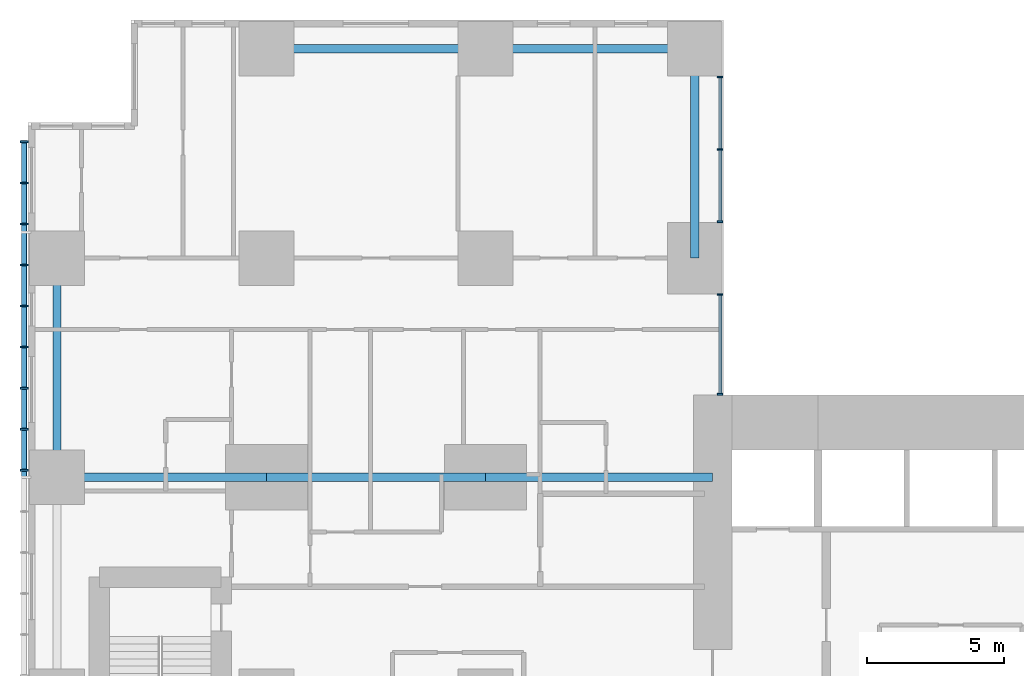
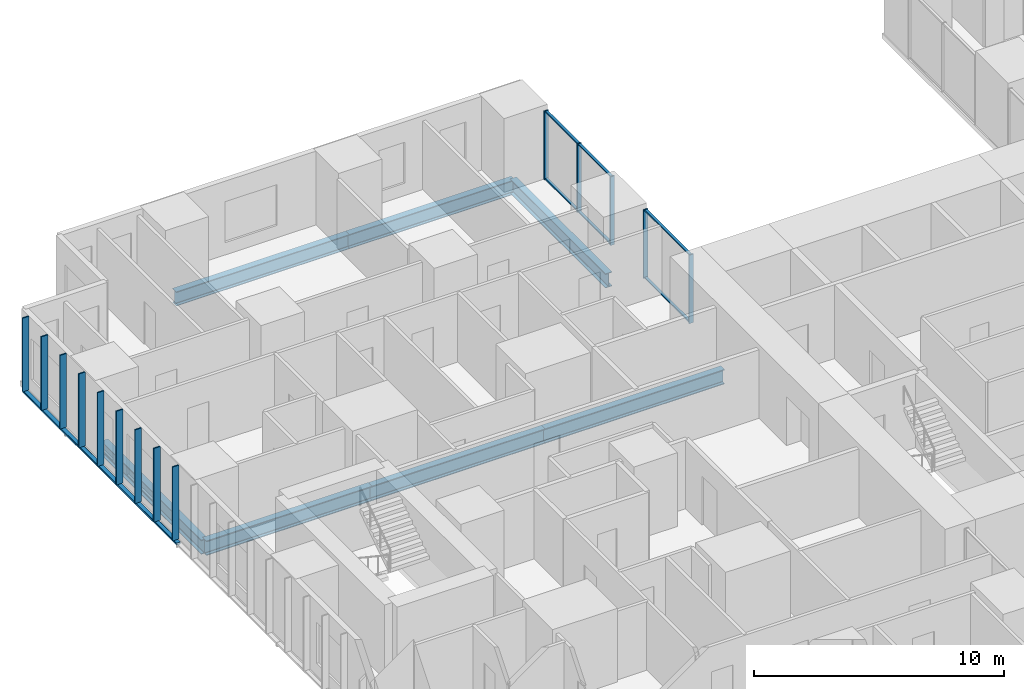
# One storey, part 4 of 20: 21 members, 7 beams, 2 elements without a shape of their own.
"""IFC4 building model written with IfcOpenShell, lengths in metres."""

import ifcopenshell
import ifcopenshell.guid

model = None  # the IFC model being written
_history = None  # IfcOwnerHistory: only IFC2X3 demands one
_inside = {}  # id of a spatial element -> (the spatial element, [elements in it])
_under = {}  # id of a project, library or spatial element -> (it, [spatial elements below it])
_declared = {}  # id of a project -> (the project, [libraries it declares])
_typed = {}  # id of a type object -> (the type object, [elements of that type])
_made_of = {}  # id of a material, layer set ... -> (it, [elements and type objects made of it])


def new_model(schema):
    """Start an empty IFC model of exactly this schema.

    Asked for "IFC4X3", IfcOpenShell would pick the latest addendum, in which some entities
    have other attributes; the version numbers below select the first issue.
    IFC2X3 requires an IfcOwnerHistory on every rooted entity: one is made here for all.
    """
    global model, _history
    if schema == "IFC4X3":
        model = ifcopenshell.file(schema_version=(4, 3, 0, 0))
    else:
        model = ifcopenshell.file(schema=schema)
    _inside.clear()
    _under.clear()
    _declared.clear()
    _typed.clear()
    _made_of.clear()
    _history = None
    if model.schema == "IFC2X3":
        org = make("IfcOrganization", Name="unknown")
        user = make(
            "IfcPersonAndOrganization",
            ThePerson=make("IfcPerson", FamilyName="unknown"),
            TheOrganization=org,
        )
        app = make(
            "IfcApplication",
            ApplicationDeveloper=org,
            Version="unknown",
            ApplicationFullName="unknown",
            ApplicationIdentifier="unknown",
        )
        _history = make(
            "IfcOwnerHistory",
            OwningUser=user,
            OwningApplication=app,
            ChangeAction="ADDED",
            CreationDate=0,
        )
    return model


def make(cls, **values):
    """One entity of the class cls with the attributes given. An attribute that is None is left unset."""
    return model.create_entity(
        cls, **{name: value for name, value in values.items() if value is not None}
    )


def rooted(cls, **values):
    """An entity with a GlobalId (a new one), such as an element, a storey or a relation."""
    return make(cls, GlobalId=ifcopenshell.guid.new(), OwnerHistory=_history, **values)


def si_unit(unit_type, name, prefix=None):
    """IfcSIUnit, for example si_unit("LENGTHUNIT", "METRE", prefix="MILLI")."""
    return make("IfcSIUnit", UnitType=unit_type, Prefix=prefix, Name=name)


def assignment(units):
    """IfcUnitAssignment: the units of a project."""
    return None if units is None else make("IfcUnitAssignment", Units=units)


def point(xyz):
    """IfcCartesianPoint."""
    return None if xyz is None else make("IfcCartesianPoint", Coordinates=xyz)


def direction(xyz):
    """IfcDirection."""
    return None if xyz is None else make("IfcDirection", DirectionRatios=xyz)


def frame(location, z_axis=None, x_axis=None):
    """IfcAxis2Placement3D, a coordinate frame: its origin and axes. An axis left out is left unset."""
    return make(
        "IfcAxis2Placement3D",
        Location=point(location),
        Axis=direction(z_axis),
        RefDirection=direction(x_axis),
    )


def frame_2d(location, x_axis=None):
    """IfcAxis2Placement2D, a coordinate frame in the plane: its origin and x axis."""
    return make(
        "IfcAxis2Placement2D", Location=point(location), RefDirection=direction(x_axis)
    )


def origin():
    """The frame at (0, 0, 0) with its axes left unset."""
    return frame((0.0, 0.0, 0.0))


def origin_2d():
    """The frame at (0, 0) in the plane with its x axis left unset."""
    return frame_2d((0.0, 0.0))


def place(relative_to, where):
    """IfcLocalPlacement: puts the frame where relative to a parent placement (None: the world)."""
    return make(
        "IfcLocalPlacement", PlacementRelTo=relative_to, RelativePlacement=where
    )


def context(
    kind, dimensions, precision=None, world=None, true_north=None, identifier=None
):
    """IfcGeometricRepresentationContext, for example the 3D "Model" context."""
    return make(
        "IfcGeometricRepresentationContext",
        ContextIdentifier=identifier,
        ContextType=kind,
        CoordinateSpaceDimension=dimensions,
        Precision=precision,
        WorldCoordinateSystem=world,
        TrueNorth=true_north,
    )


def subcontext(parent, identifier, kind, view, scale=None):
    """IfcGeometricRepresentationSubContext, for example "Body" below "Model"."""
    return make(
        "IfcGeometricRepresentationSubContext",
        ContextIdentifier=identifier,
        ContextType=kind,
        ParentContext=parent,
        TargetScale=scale,
        TargetView=view,
    )


def project(units=None, contexts=None):
    """IfcProject with its units and contexts."""
    return rooted(
        "IfcProject",
        Name="project",
        RepresentationContexts=contexts,
        UnitsInContext=assignment(units),
    )


def spatial(cls, under=None, at=None, **own):
    """A site, building, storey or space (cls), placed at a placement, below another one or the project."""
    s = rooted(cls, ObjectPlacement=at, **own)
    if under is not None:
        _under.setdefault(under.id(), (under, []))[1].append(s)
    return s


def profile(cls, at=None, kind="AREA", **sizes):
    """A parametric profile (cls). Its sizes go by their IFC names, for example OverallWidth=200.0."""
    return make(cls, ProfileType=kind, Position=at, **sizes)


def rectangle(**sizes):
    """IfcRectangleProfileDef."""
    return profile("IfcRectangleProfileDef", **sizes)


def hollow_rectangle(**sizes):
    """IfcRectangleHollowProfileDef."""
    return profile("IfcRectangleHollowProfileDef", **sizes)


def i_section(**sizes):
    """IfcIShapeProfileDef."""
    return profile("IfcIShapeProfileDef", **sizes)


def extrude(swept, where, along, depth):
    """IfcExtrudedAreaSolid: the profile swept, set in the frame where, extruded along a direction by depth."""
    return make(
        "IfcExtrudedAreaSolid",
        SweptArea=swept,
        Position=where,
        ExtrudedDirection=direction(along),
        Depth=depth,
    )


def shape(context_of_items, identifier, shape_type, items):
    """IfcShapeRepresentation: the items that make up one representation, for example the "Body"."""
    return make(
        "IfcShapeRepresentation",
        ContextOfItems=context_of_items,
        RepresentationIdentifier=identifier,
        RepresentationType=shape_type,
        Items=items,
    )


def material(Name=None, Category=None):
    """IfcMaterial."""
    return make("IfcMaterial", Name=Name, Category=Category)


def layer(
    of_material, thickness, ventilated=None, Name=None, Category=None, Priority=None
):
    """IfcMaterialLayer: one layer of a wall or slab, of a material (None: an air gap)."""
    return make(
        "IfcMaterialLayer",
        Material=of_material,
        LayerThickness=thickness,
        IsVentilated=ventilated,
        Name=Name,
        Category=Category,
        Priority=Priority,
    )


def layer_set(layers, Name=None):
    """IfcMaterialLayerSet."""
    return make("IfcMaterialLayerSet", MaterialLayers=layers, LayerSetName=Name)


def material_profile(
    of_material, cross_section, Name=None, Category=None, Priority=None
):
    """IfcMaterialProfile: a cross section and its material."""
    return make(
        "IfcMaterialProfile",
        Name=Name,
        Material=of_material,
        Profile=cross_section,
        Priority=Priority,
        Category=Category,
    )


def profile_set(profiles, Name=None, composite=None):
    """IfcMaterialProfileSet."""
    return make(
        "IfcMaterialProfileSet",
        Name=Name,
        MaterialProfiles=profiles,
        CompositeProfile=composite,
    )


def made_of(thing, what):
    """Note that an element or type object is made of a material, layer set ...; save() writes the relation."""
    if what is not None:
        _made_of.setdefault(what.id(), (what, []))[1].append(thing)
    return thing


def type_object(cls, material=None, **own):
    """A type object (cls), such as IfcWallType, which elements share."""
    return made_of(rooted(cls, **own), material)


def element(
    cls,
    number,
    at=None,
    inside=None,
    cuts=None,
    type_object=None,
    material=None,
    context=None,
    identifier="Body",
    shape_type=None,
    held_by="IfcProductDefinitionShape",
    body=None,
    shapes=None,
    **own,
):
    """One element of the class cls, such as IfcWall. Its Tag is "e" and its number.

    at: its placement. inside: the storey or other place that contains it. cuts: it is an
    opening in that element (IfcRelVoidsElement). A single representation is given by context,
    identifier, shape_type and body (its items); several are given by shapes. held_by: the class
    of the entity that holds the representations. save() writes the other relations.
    """
    e = rooted(cls, Tag="e%d" % number, ObjectPlacement=at, **own)
    if body is not None:
        shapes = [shape(context, identifier, shape_type, body)]
    if shapes is not None:
        e.Representation = make(held_by, Representations=shapes)
    if inside is not None:
        _inside.setdefault(inside.id(), (inside, []))[1].append(e)
    if cuts is not None:
        rooted(
            "IfcRelVoidsElement", RelatingBuildingElement=cuts, RelatedOpeningElement=e
        )
    if type_object is not None:
        _typed.setdefault(type_object.id(), (type_object, []))[1].append(e)
    return made_of(e, material)


def aggregate(whole, parts):
    """IfcRelAggregates: a whole, such as a stair, and the parts it consists of."""
    return rooted("IfcRelAggregates", RelatingObject=whole, RelatedObjects=parts)


def save(model, path):
    """Write the relations noted so far, then the file.

    IfcRelAggregates (storeys below a building ...), IfcRelContainedInSpatialStructure (elements
    in a storey), IfcRelDefinesByType, IfcRelAssociatesMaterial and IfcRelDeclares: one each for
    every whole, place, type object, material and project.
    """
    for whole, parts in _under.values():
        aggregate(whole, parts)
    for where, things in _inside.values():
        rooted(
            "IfcRelContainedInSpatialStructure",
            RelatedElements=things,
            RelatingStructure=where,
        )
    for kind, things in _typed.values():
        rooted("IfcRelDefinesByType", RelatedObjects=things, RelatingType=kind)
    for what, things in _made_of.values():
        rooted("IfcRelAssociatesMaterial", RelatedObjects=things, RelatingMaterial=what)
    for by, libraries in _declared.values():
        rooted("IfcRelDeclares", RelatingContext=by, RelatedDefinitions=libraries)
    model.write(path)


model = new_model("IFC4")

# Units and contexts
model_context = context("Model", 3, precision=1e-05, world=origin(), true_north=direction((0.0, 1.0)))
body_context = subcontext(model_context, "Body", "Model", "MODEL_VIEW")
ifc_project = project(units=[si_unit("LENGTHUNIT", "METRE"), si_unit("AREAUNIT", "SQUARE_METRE"), si_unit("VOLUMEUNIT", "CUBIC_METRE"), si_unit("PLANEANGLEUNIT", "RADIAN"), si_unit("MASSUNIT", "GRAM", prefix="KILO")], contexts=[model_context])

# Site, building, storey
site_placement = place(None, origin())
site = spatial("IfcSite", under=ifc_project, at=site_placement, CompositionType="ELEMENT")
building_placement = place(site_placement, origin())
building = spatial("IfcBuilding", under=site, at=building_placement, Name="Cleftline Residences", CompositionType="ELEMENT")
storey_placement = place(building_placement, frame((0.0, 0.0, 69.199951171875)))
storey = spatial("IfcBuildingStorey", under=building, at=storey_placement, Name="L17", CompositionType="ELEMENT", Elevation=69.199951171875)

# Member
ifc_material_1 = material(Name="Steel S355, hot-dip galvanised", Category="steel")
ifc_material_profile_1 = material_profile(ifc_material_1, hollow_rectangle(XDim=0.10009765625, YDim=0.199951171875, WallThickness=0.008056640625, InnerFilletRadius=0.008056640625, OuterFilletRadius=0.011962890625, at=origin_2d()))
ifc_profile_set_1 = profile_set([ifc_material_profile_1], Name="Steel S355, hot-dip galvanised")
member_type_1 = type_object("IfcMemberType", Name="BAGUETTE CARRIER RHS 200X100X8", PredefinedType="USERDEFINED", material=ifc_profile_set_1)
member_1_placement = place(storey_placement, frame((-0.85009765625, 44.300048828125, -0.050048828125), z_axis=(0.0, -1.0, 0.0), x_axis=(0.0, 0.0, 1.0)))
element("IfcMember", 1, at=member_1_placement, inside=storey, type_object=member_type_1, Name="Baguette carrier", ObjectType="BAGUETTE CARRIER", PredefinedType="USERDEFINED", context=body_context, shape_type="SweptSolid", body=[
    extrude(hollow_rectangle(XDim=0.10009765625, YDim=0.199951171875, WallThickness=0.008056640625, InnerFilletRadius=0.008056640625, OuterFilletRadius=0.011962890625, at=origin_2d()), origin(), (0.0, 0.0, 1.0), 12.300048828125),
])

# Beams
ifc_material_2 = material(Name="Steel S355", Category="steel")
ifc_material_profile_2 = material_profile(ifc_material_2, i_section(OverallWidth=0.300048828125, OverallDepth=0.699951171875, WebThickness=0.01708984375, FlangeThickness=0.031982421875, FilletRadius=0.027099609375, at=origin_2d()))
ifc_profile_set_2 = profile_set([ifc_material_profile_2], Name="Steel S355")
beam_type_1 = type_object("IfcBeamType", Name="BEAM HEB 700", PredefinedType="BEAM", material=ifc_profile_set_2)
for number, where, z_axis, x_axis, name in (
    (2, (0.35009765625, 32.0, -0.599853515625), (0.0, 1.0, 0.0), (-1.0, 0.0, 0.0), "Edge beam"),
    (3, (8.0, 47.64990234375, -0.599853515625), (1.0, 0.0, 0.0), (0.0, 1.0, 0.0), "Edge beam"),
):
    element("IfcBeam", number, at=place(storey_placement, frame(where, z_axis=z_axis, x_axis=x_axis)), inside=storey, type_object=beam_type_1, Name=name, PredefinedType="BEAM", context=body_context, shape_type="SweptSolid", body=[
        extrude(i_section(OverallWidth=0.300048828125, OverallDepth=0.699951171875, WebThickness=0.01708984375, FlangeThickness=0.031982421875, FilletRadius=0.027099609375, at=origin_2d()), origin(), (0.0, 0.0, 1.0), 8.0),
    ])
for number, where, z_axis, x_axis, name in (
    (4, (16.0, 47.64990234375, -0.599853515625), (1.0, 0.0, 0.0), (0.0, 1.0, 0.0), "Edge beam"),
    (5, (23.64990234375, 47.64990234375, -0.599853515625), (0.0, -1.0, 0.0), (1.0, 0.0, 0.0), "Edge beam"),
):
    element("IfcBeam", number, at=place(storey_placement, frame(where, z_axis=z_axis, x_axis=x_axis)), inside=storey, type_object=beam_type_1, Name=name, PredefinedType="BEAM", context=body_context, shape_type="SweptSolid", body=[
        extrude(i_section(OverallWidth=0.300048828125, OverallDepth=0.699951171875, WebThickness=0.01708984375, FlangeThickness=0.031982421875, FilletRadius=0.027099609375, at=origin_2d()), origin(), (0.0, 0.0, 1.0), 7.64990234375),
    ])
ifc_material_3 = material(Name="Steel S355", Category="steel")
ifc_material_profile_3 = material_profile(ifc_material_3, i_section(OverallWidth=0.303955078125, OverallDepth=0.716064453125, WebThickness=0.02099609375, FlangeThickness=0.0400390625, FilletRadius=0.027099609375, at=origin_2d()))
ifc_profile_set_3 = profile_set([ifc_material_profile_3], Name="Steel S355")
beam_type_2 = type_object("IfcBeamType", Name="BEAM HEM 700", PredefinedType="BEAM", material=ifc_profile_set_3)
beam_1_placement = place(storey_placement, frame((0.35009765625, 32.0, -0.60791015625), z_axis=(1.0, 0.0, 0.0), x_axis=(0.0, 1.0, 0.0)))
element("IfcBeam", 6, at=beam_1_placement, inside=storey, type_object=beam_type_2, Name="Band beam", PredefinedType="BEAM", context=body_context, shape_type="SweptSolid", body=[
    extrude(i_section(OverallWidth=0.303955078125, OverallDepth=0.716064453125, WebThickness=0.02099609375, FlangeThickness=0.0400390625, FilletRadius=0.027099609375, at=origin_2d()), origin(), (0.0, 0.0, 1.0), 7.64990234375),
])
beam_2_placement = place(storey_placement, frame((8.0, 32.0, -0.60791015625), z_axis=(1.0, 0.0, 0.0), x_axis=(0.0, 1.0, 0.0)))
element("IfcBeam", 7, at=beam_2_placement, inside=storey, type_object=beam_type_2, Name="Band beam", PredefinedType="BEAM", context=body_context, shape_type="SweptSolid", body=[
    extrude(i_section(OverallWidth=0.303955078125, OverallDepth=0.716064453125, WebThickness=0.02099609375, FlangeThickness=0.0400390625, FilletRadius=0.027099609375, at=origin_2d()), origin(), (0.0, 0.0, 1.0), 8.0),
])
beam_3_placement = place(storey_placement, frame((16.0, 32.0, -0.60791015625), z_axis=(1.0, 0.0, 0.0), x_axis=(0.0, 1.0, 0.0)))
element("IfcBeam", 8, at=beam_3_placement, inside=storey, type_object=beam_type_2, Name="Band beam", PredefinedType="BEAM", context=body_context, shape_type="SweptSolid", body=[
    extrude(i_section(OverallWidth=0.303955078125, OverallDepth=0.716064453125, WebThickness=0.02099609375, FlangeThickness=0.0400390625, FilletRadius=0.027099609375, at=origin_2d()), origin(), (0.0, 0.0, 1.0), 8.300048828125),
])

# Curtain wall, members
ifc_material_4 = material(Name="Aluminium framed curtain wall", Category="aluminium")
ifc_layer = layer(ifc_material_4, 0.199951171875)
ifc_layer_set = layer_set([ifc_layer], Name="CW1 CLEFT GLAZING")
curtain_wall_type = type_object("IfcCurtainWallType", Name="CW1 CLEFT GLAZING", PredefinedType="NOTDEFINED", material=ifc_layer_set)
curtain_wall_1_placement = place(storey_placement, origin())
curtain_wall_1 = element("IfcCurtainWall", 9, at=curtain_wall_1_placement, inside=storey, type_object=curtain_wall_type, Name="Curtain wall CW1", PredefinedType="NOTDEFINED")
ifc_material_5 = material(Name="Aluminium mullion", Category="aluminium")
ifc_material_profile_4 = material_profile(ifc_material_5, rectangle(XDim=0.199951171875, YDim=0.06005859375, at=origin_2d()))
ifc_profile_set_4 = profile_set([ifc_material_profile_4], Name="Aluminium mullion")
member_type_2 = type_object("IfcMemberType", Name="CW1 MULLION", PredefinedType="MULLION", material=ifc_profile_set_4)
member_2_placement = place(storey_placement, frame((24.574951171875, 35.030029296875, 0.0), z_axis=(0.0, 0.0, 1.0), x_axis=(-1.0, 0.0, 0.0)))
member_2 = element("IfcMember", 10, at=member_2_placement, type_object=member_type_2, Name="CW1 mullion 1", PredefinedType="MULLION", context=body_context, shape_type="SweptSolid", body=[
    extrude(rectangle(XDim=0.199951171875, YDim=0.06005859375, at=origin_2d()), origin(), (0.0, 0.0, 1.0), 3.35009765625),
])
member_3_placement = place(storey_placement, frame((24.574951171875, 38.669921875, 0.0), z_axis=(0.0, 0.0, 1.0), x_axis=(-1.0, 0.0, 0.0)))
member_3 = element("IfcMember", 11, at=member_3_placement, type_object=member_type_2, Name="CW1 mullion 2", PredefinedType="MULLION", context=body_context, shape_type="SweptSolid", body=[
    extrude(rectangle(XDim=0.199951171875, YDim=0.06005859375, at=origin_2d()), origin(), (0.0, 0.0, 1.0), 3.35009765625),
])

curtain_wall_2_placement = place(storey_placement, origin())
curtain_wall_2 = element("IfcCurtainWall", 12, at=curtain_wall_2_placement, inside=storey, type_object=curtain_wall_type, Name="Curtain wall CW1", PredefinedType="NOTDEFINED")
member_4_placement = place(storey_placement, frame((24.574951171875, 41.330078125, 0.0), z_axis=(0.0, 0.0, 1.0), x_axis=(-1.0, 0.0, 0.0)))
member_4 = element("IfcMember", 13, at=member_4_placement, type_object=member_type_2, Name="CW1 mullion 1", PredefinedType="MULLION", context=body_context, shape_type="SweptSolid", body=[
    extrude(rectangle(XDim=0.199951171875, YDim=0.06005859375, at=origin_2d()), origin(), (0.0, 0.0, 1.0), 3.35009765625),
])
member_5_placement = place(storey_placement, frame((24.574951171875, 43.97509765625, 0.0), z_axis=(0.0, 0.0, 1.0), x_axis=(-1.0, 0.0, 0.0)))
member_5 = element("IfcMember", 14, at=member_5_placement, type_object=member_type_2, Name="CW1 mullion 2", PredefinedType="MULLION", context=body_context, shape_type="SweptSolid", body=[
    extrude(rectangle(XDim=0.199951171875, YDim=0.06005859375, at=origin_2d()), origin(), (0.0, 0.0, 1.0), 3.35009765625),
])
member_6_placement = place(storey_placement, frame((24.574951171875, 46.6201171875, 0.0), z_axis=(0.0, 0.0, 1.0), x_axis=(-1.0, 0.0, 0.0)))
member_6 = element("IfcMember", 15, at=member_6_placement, type_object=member_type_2, Name="CW1 mullion 3", PredefinedType="MULLION", context=body_context, shape_type="SweptSolid", body=[
    extrude(rectangle(XDim=0.199951171875, YDim=0.06005859375, at=origin_2d()), origin(), (0.0, 0.0, 1.0), 3.35009765625),
])

# Member
ifc_material_6 = material(Name="Aluminium transom", Category="aluminium")
ifc_material_profile_5 = material_profile(ifc_material_6, rectangle(XDim=0.1201171875, YDim=0.06005859375, at=origin_2d()))
ifc_profile_set_5 = profile_set([ifc_material_profile_5], Name="Aluminium transom")
member_type_3 = type_object("IfcMemberType", Name="CW1 TRANSOM", PredefinedType="USERDEFINED", material=ifc_profile_set_5)
member_7_placement = place(storey_placement, frame((24.574951171875, 35.06005859375, 0.030029296875), z_axis=(0.0, 1.0, 0.0), x_axis=(-1.0, 0.0, 0.0)))
member_7 = element("IfcMember", 16, at=member_7_placement, type_object=member_type_3, Name="CW1 transom 1.1", ObjectType="TRANSOM", PredefinedType="USERDEFINED", context=body_context, shape_type="SweptSolid", body=[
    extrude(rectangle(XDim=0.1201171875, YDim=0.06005859375, at=origin_2d()), origin(), (0.0, 0.0, 1.0), 3.579833984375),
])

member_8_placement = place(storey_placement, frame((24.574951171875, 35.06005859375, 3.320068359375), z_axis=(0.0, 1.0, 0.0), x_axis=(-1.0, 0.0, 0.0)))
member_8 = element("IfcMember", 17, at=member_8_placement, type_object=member_type_3, Name="CW1 transom 1.2", ObjectType="TRANSOM", PredefinedType="USERDEFINED", context=body_context, shape_type="SweptSolid", body=[
    extrude(rectangle(XDim=0.1201171875, YDim=0.06005859375, at=origin_2d()), origin(), (0.0, 0.0, 1.0), 3.579833984375),
])

aggregate(curtain_wall_1, [member_2, member_3, member_7, member_8])

member_9_placement = place(storey_placement, frame((24.574951171875, 41.360107421875, 0.030029296875), z_axis=(0.0, 1.0, 0.0), x_axis=(-1.0, 0.0, 0.0)))
member_9 = element("IfcMember", 18, at=member_9_placement, type_object=member_type_3, Name="CW1 transom 1.1", ObjectType="TRANSOM", PredefinedType="USERDEFINED", context=body_context, shape_type="SweptSolid", body=[
    extrude(rectangle(XDim=0.1201171875, YDim=0.06005859375, at=origin_2d()), origin(), (0.0, 0.0, 1.0), 2.5849609375),
])

member_10_placement = place(storey_placement, frame((24.574951171875, 41.360107421875, 3.320068359375), z_axis=(0.0, 1.0, 0.0), x_axis=(-1.0, 0.0, 0.0)))
member_10 = element("IfcMember", 19, at=member_10_placement, type_object=member_type_3, Name="CW1 transom 1.2", ObjectType="TRANSOM", PredefinedType="USERDEFINED", context=body_context, shape_type="SweptSolid", body=[
    extrude(rectangle(XDim=0.1201171875, YDim=0.06005859375, at=origin_2d()), origin(), (0.0, 0.0, 1.0), 2.5849609375),
])

member_11_placement = place(storey_placement, frame((24.574951171875, 44.0048828125, 0.030029296875), z_axis=(0.0, 1.0, 0.0), x_axis=(-1.0, 0.0, 0.0)))
member_11 = element("IfcMember", 20, at=member_11_placement, type_object=member_type_3, Name="CW1 transom 2.1", ObjectType="TRANSOM", PredefinedType="USERDEFINED", context=body_context, shape_type="SweptSolid", body=[
    extrude(rectangle(XDim=0.1201171875, YDim=0.06005859375, at=origin_2d()), origin(), (0.0, 0.0, 1.0), 2.585205078125),
])

member_12_placement = place(storey_placement, frame((24.574951171875, 44.0048828125, 3.320068359375), z_axis=(0.0, 1.0, 0.0), x_axis=(-1.0, 0.0, 0.0)))
member_12 = element("IfcMember", 21, at=member_12_placement, type_object=member_type_3, Name="CW1 transom 2.2", ObjectType="TRANSOM", PredefinedType="USERDEFINED", context=body_context, shape_type="SweptSolid", body=[
    extrude(rectangle(XDim=0.1201171875, YDim=0.06005859375, at=origin_2d()), origin(), (0.0, 0.0, 1.0), 2.585205078125),
])

aggregate(curtain_wall_2, [member_4, member_5, member_6, member_9, member_10, member_11, member_12])

# Members
ifc_material_7 = material(Name="Extruded terracotta", Category="masonry")
ifc_material_profile_6 = material_profile(ifc_material_7, rectangle(XDim=0.06005859375, YDim=0.300048828125, at=origin_2d()))
ifc_profile_set_6 = profile_set([ifc_material_profile_6], Name="Extruded terracotta")
member_type_4 = type_object("IfcMemberType", Name="TERRACOTTA BAGUETTE 60X300", PredefinedType="USERDEFINED", material=ifc_profile_set_6)
for number, where, z_axis, x_axis, name in (
    (22, (-0.85009765625, 44.25, 0.0), (0.0, 0.0, 1.0), (0.0, 1.0, 0.0), "Terracotta baguette"),
    (23, (-0.85009765625, 42.75, 0.0), (0.0, 0.0, 1.0), (0.0, 1.0, 0.0), "Terracotta baguette"),
    (24, (-0.85009765625, 41.25, 0.0), (0.0, 0.0, 1.0), (0.0, 1.0, 0.0), "Terracotta baguette"),
    (25, (-0.85009765625, 39.75, 0.0), (0.0, 0.0, 1.0), (0.0, 1.0, 0.0), "Terracotta baguette"),
    (26, (-0.85009765625, 38.25, 0.0), (0.0, 0.0, 1.0), (0.0, 1.0, 0.0), "Terracotta baguette"),
    (27, (-0.85009765625, 36.75, 0.0), (0.0, 0.0, 1.0), (0.0, 1.0, 0.0), "Terracotta baguette"),
    (28, (-0.85009765625, 35.25, 0.0), (0.0, 0.0, 1.0), (0.0, 1.0, 0.0), "Terracotta baguette"),
    (29, (-0.85009765625, 33.75, 0.0), (0.0, 0.0, 1.0), (0.0, 1.0, 0.0), "Terracotta baguette"),
    (30, (-0.85009765625, 32.25, 0.0), (0.0, 0.0, 1.0), (0.0, 1.0, 0.0), "Terracotta baguette"),
):
    element("IfcMember", number, at=place(storey_placement, frame(where, z_axis=z_axis, x_axis=x_axis)), inside=storey, type_object=member_type_4, Name=name, ObjectType="BAGUETTE", PredefinedType="USERDEFINED", context=body_context, shape_type="SweptSolid", body=[
        extrude(rectangle(XDim=0.06005859375, YDim=0.300048828125, at=origin_2d()), origin(), (0.0, 0.0, 1.0), 3.60009765625),
    ])

save(model, "model.ifc")
